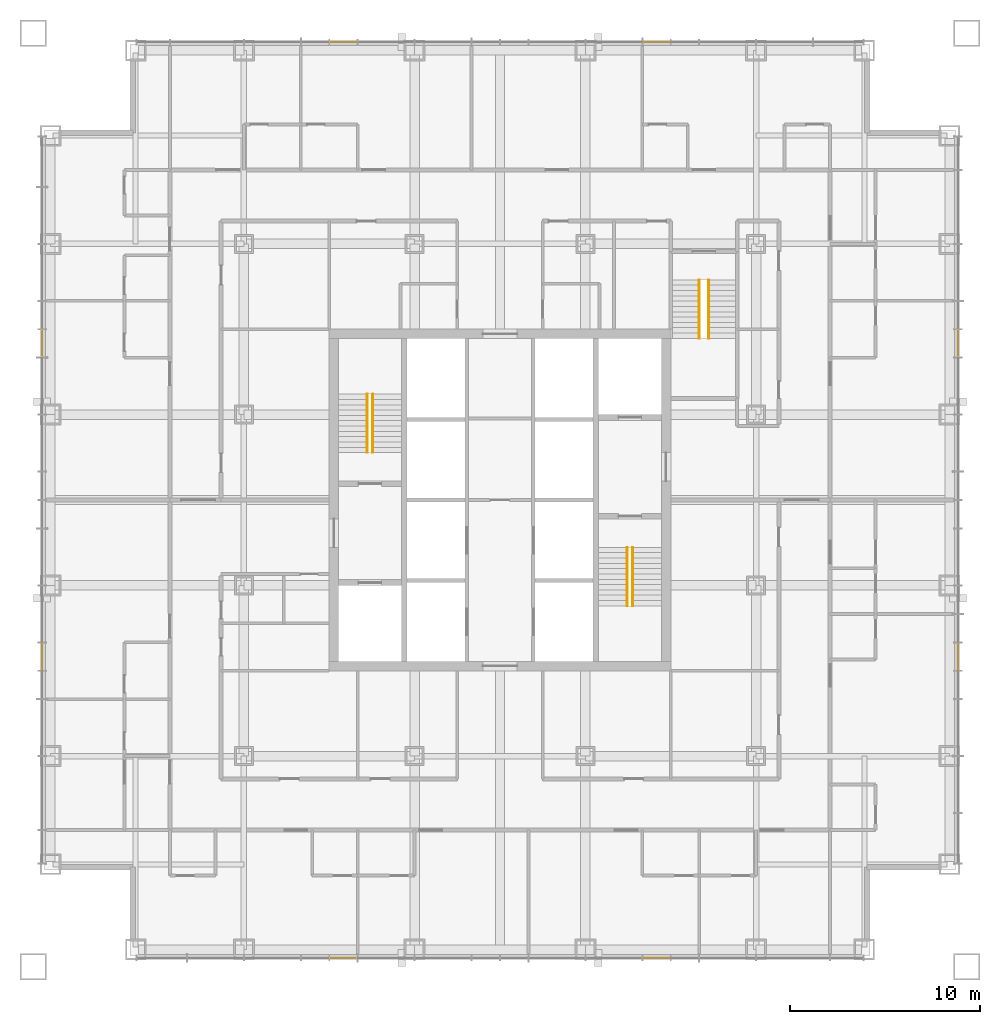
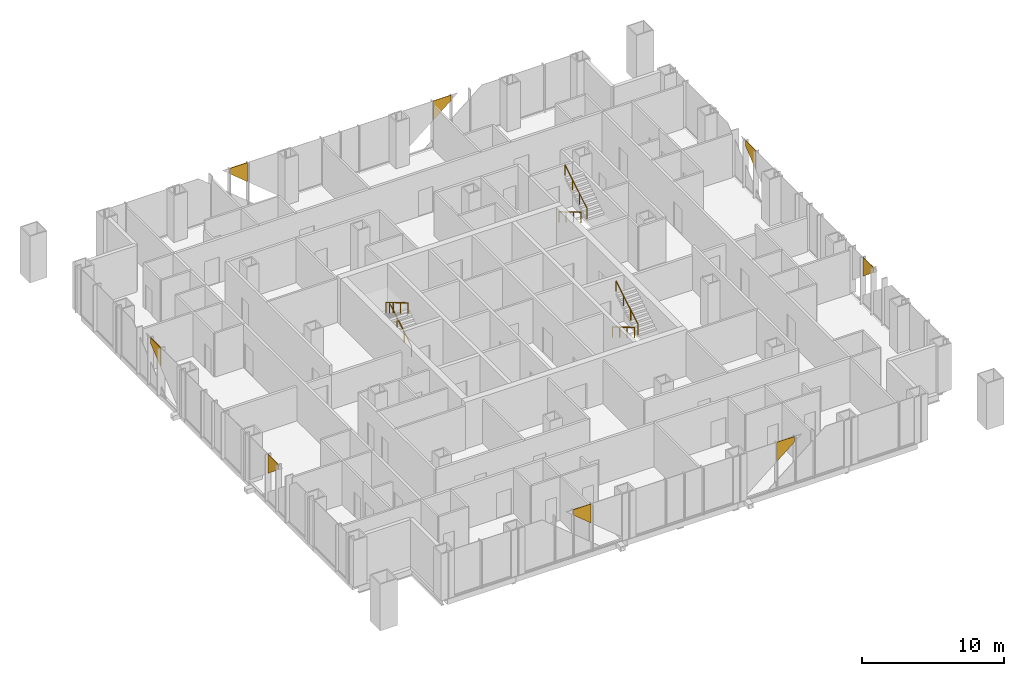
# One storey, part 14 of 18: 8 coverings, 6 railings.
"""IFC4 building model written with IfcOpenShell, lengths in metres."""

import ifcopenshell
import ifcopenshell.guid

model = None  # the IFC model being written
_history = None  # IfcOwnerHistory: only IFC2X3 demands one
_inside = {}  # id of a spatial element -> (the spatial element, [elements in it])
_under = {}  # id of a project, library or spatial element -> (it, [spatial elements below it])
_declared = {}  # id of a project -> (the project, [libraries it declares])
_typed = {}  # id of a type object -> (the type object, [elements of that type])
_made_of = {}  # id of a material, layer set ... -> (it, [elements and type objects made of it])


def new_model(schema):
    """Start an empty IFC model of exactly this schema.

    Asked for "IFC4X3", IfcOpenShell would pick the latest addendum, in which some entities
    have other attributes; the version numbers below select the first issue.
    IFC2X3 requires an IfcOwnerHistory on every rooted entity: one is made here for all.
    """
    global model, _history
    if schema == "IFC4X3":
        model = ifcopenshell.file(schema_version=(4, 3, 0, 0))
    else:
        model = ifcopenshell.file(schema=schema)
    _inside.clear()
    _under.clear()
    _declared.clear()
    _typed.clear()
    _made_of.clear()
    _history = None
    if model.schema == "IFC2X3":
        org = make("IfcOrganization", Name="unknown")
        user = make(
            "IfcPersonAndOrganization",
            ThePerson=make("IfcPerson", FamilyName="unknown"),
            TheOrganization=org,
        )
        app = make(
            "IfcApplication",
            ApplicationDeveloper=org,
            Version="unknown",
            ApplicationFullName="unknown",
            ApplicationIdentifier="unknown",
        )
        _history = make(
            "IfcOwnerHistory",
            OwningUser=user,
            OwningApplication=app,
            ChangeAction="ADDED",
            CreationDate=0,
        )
    return model


def make(cls, **values):
    """One entity of the class cls with the attributes given. An attribute that is None is left unset."""
    return model.create_entity(
        cls, **{name: value for name, value in values.items() if value is not None}
    )


def rooted(cls, **values):
    """An entity with a GlobalId (a new one), such as an element, a storey or a relation."""
    return make(cls, GlobalId=ifcopenshell.guid.new(), OwnerHistory=_history, **values)


def si_unit(unit_type, name, prefix=None):
    """IfcSIUnit, for example si_unit("LENGTHUNIT", "METRE", prefix="MILLI")."""
    return make("IfcSIUnit", UnitType=unit_type, Prefix=prefix, Name=name)


def assignment(units):
    """IfcUnitAssignment: the units of a project."""
    return None if units is None else make("IfcUnitAssignment", Units=units)


def point(xyz):
    """IfcCartesianPoint."""
    return None if xyz is None else make("IfcCartesianPoint", Coordinates=xyz)


def direction(xyz):
    """IfcDirection."""
    return None if xyz is None else make("IfcDirection", DirectionRatios=xyz)


def frame(location, z_axis=None, x_axis=None):
    """IfcAxis2Placement3D, a coordinate frame: its origin and axes. An axis left out is left unset."""
    return make(
        "IfcAxis2Placement3D",
        Location=point(location),
        Axis=direction(z_axis),
        RefDirection=direction(x_axis),
    )


def frame_2d(location, x_axis=None):
    """IfcAxis2Placement2D, a coordinate frame in the plane: its origin and x axis."""
    return make(
        "IfcAxis2Placement2D", Location=point(location), RefDirection=direction(x_axis)
    )


def origin():
    """The frame at (0, 0, 0) with its axes left unset."""
    return frame((0.0, 0.0, 0.0))


def origin_2d():
    """The frame at (0, 0) in the plane with its x axis left unset."""
    return frame_2d((0.0, 0.0))


def place(relative_to, where):
    """IfcLocalPlacement: puts the frame where relative to a parent placement (None: the world)."""
    return make(
        "IfcLocalPlacement", PlacementRelTo=relative_to, RelativePlacement=where
    )


def context(
    kind, dimensions, precision=None, world=None, true_north=None, identifier=None
):
    """IfcGeometricRepresentationContext, for example the 3D "Model" context."""
    return make(
        "IfcGeometricRepresentationContext",
        ContextIdentifier=identifier,
        ContextType=kind,
        CoordinateSpaceDimension=dimensions,
        Precision=precision,
        WorldCoordinateSystem=world,
        TrueNorth=true_north,
    )


def subcontext(parent, identifier, kind, view, scale=None):
    """IfcGeometricRepresentationSubContext, for example "Body" below "Model"."""
    return make(
        "IfcGeometricRepresentationSubContext",
        ContextIdentifier=identifier,
        ContextType=kind,
        ParentContext=parent,
        TargetScale=scale,
        TargetView=view,
    )


def project(units=None, contexts=None):
    """IfcProject with its units and contexts."""
    return rooted(
        "IfcProject",
        Name="project",
        RepresentationContexts=contexts,
        UnitsInContext=assignment(units),
    )


def spatial(cls, under=None, at=None, **own):
    """A site, building, storey or space (cls), placed at a placement, below another one or the project."""
    s = rooted(cls, ObjectPlacement=at, **own)
    if under is not None:
        _under.setdefault(under.id(), (under, []))[1].append(s)
    return s


def polyline(points):
    """IfcPolyline through the points."""
    return make("IfcPolyline", Points=[point(p) for p in points])


def profile(cls, at=None, kind="AREA", **sizes):
    """A parametric profile (cls). Its sizes go by their IFC names, for example OverallWidth=200.0."""
    return make(cls, ProfileType=kind, Position=at, **sizes)


def circle(**sizes):
    """IfcCircleProfileDef."""
    return profile("IfcCircleProfileDef", **sizes)


def outline(outer, holes=None, kind="AREA"):
    """IfcArbitraryClosedProfileDef: a profile drawn as a closed curve; with holes, ...WithVoids."""
    if holes is None:
        return make("IfcArbitraryClosedProfileDef", ProfileType=kind, OuterCurve=outer)
    return make(
        "IfcArbitraryProfileDefWithVoids",
        ProfileType=kind,
        OuterCurve=outer,
        InnerCurves=holes,
    )


def extrude(swept, where, along, depth):
    """IfcExtrudedAreaSolid: the profile swept, set in the frame where, extruded along a direction by depth."""
    return make(
        "IfcExtrudedAreaSolid",
        SweptArea=swept,
        Position=where,
        ExtrudedDirection=direction(along),
        Depth=depth,
    )


def shape(context_of_items, identifier, shape_type, items):
    """IfcShapeRepresentation: the items that make up one representation, for example the "Body"."""
    return make(
        "IfcShapeRepresentation",
        ContextOfItems=context_of_items,
        RepresentationIdentifier=identifier,
        RepresentationType=shape_type,
        Items=items,
    )


def material(Name=None, Category=None):
    """IfcMaterial."""
    return make("IfcMaterial", Name=Name, Category=Category)


def layer(
    of_material, thickness, ventilated=None, Name=None, Category=None, Priority=None
):
    """IfcMaterialLayer: one layer of a wall or slab, of a material (None: an air gap)."""
    return make(
        "IfcMaterialLayer",
        Material=of_material,
        LayerThickness=thickness,
        IsVentilated=ventilated,
        Name=Name,
        Category=Category,
        Priority=Priority,
    )


def layer_set(layers, Name=None):
    """IfcMaterialLayerSet."""
    return make("IfcMaterialLayerSet", MaterialLayers=layers, LayerSetName=Name)


def made_of(thing, what):
    """Note that an element or type object is made of a material, layer set ...; save() writes the relation."""
    if what is not None:
        _made_of.setdefault(what.id(), (what, []))[1].append(thing)
    return thing


def type_object(cls, material=None, **own):
    """A type object (cls), such as IfcWallType, which elements share."""
    return made_of(rooted(cls, **own), material)


def element(
    cls,
    number,
    at=None,
    inside=None,
    cuts=None,
    type_object=None,
    material=None,
    context=None,
    identifier="Body",
    shape_type=None,
    held_by="IfcProductDefinitionShape",
    body=None,
    shapes=None,
    **own,
):
    """One element of the class cls, such as IfcWall. Its Tag is "e" and its number.

    at: its placement. inside: the storey or other place that contains it. cuts: it is an
    opening in that element (IfcRelVoidsElement). A single representation is given by context,
    identifier, shape_type and body (its items); several are given by shapes. held_by: the class
    of the entity that holds the representations. save() writes the other relations.
    """
    e = rooted(cls, Tag="e%d" % number, ObjectPlacement=at, **own)
    if body is not None:
        shapes = [shape(context, identifier, shape_type, body)]
    if shapes is not None:
        e.Representation = make(held_by, Representations=shapes)
    if inside is not None:
        _inside.setdefault(inside.id(), (inside, []))[1].append(e)
    if cuts is not None:
        rooted(
            "IfcRelVoidsElement", RelatingBuildingElement=cuts, RelatedOpeningElement=e
        )
    if type_object is not None:
        _typed.setdefault(type_object.id(), (type_object, []))[1].append(e)
    return made_of(e, material)


def aggregate(whole, parts):
    """IfcRelAggregates: a whole, such as a stair, and the parts it consists of."""
    return rooted("IfcRelAggregates", RelatingObject=whole, RelatedObjects=parts)


def save(model, path):
    """Write the relations noted so far, then the file.

    IfcRelAggregates (storeys below a building ...), IfcRelContainedInSpatialStructure (elements
    in a storey), IfcRelDefinesByType, IfcRelAssociatesMaterial and IfcRelDeclares: one each for
    every whole, place, type object, material and project.
    """
    for whole, parts in _under.values():
        aggregate(whole, parts)
    for where, things in _inside.values():
        rooted(
            "IfcRelContainedInSpatialStructure",
            RelatedElements=things,
            RelatingStructure=where,
        )
    for kind, things in _typed.values():
        rooted("IfcRelDefinesByType", RelatedObjects=things, RelatingType=kind)
    for what, things in _made_of.values():
        rooted("IfcRelAssociatesMaterial", RelatedObjects=things, RelatingMaterial=what)
    for by, libraries in _declared.values():
        rooted("IfcRelDeclares", RelatingContext=by, RelatedDefinitions=libraries)
    model.write(path)


model = new_model("IFC4")

# Units and contexts
model_context = context("Model", 3, precision=1e-05, world=origin(), true_north=direction((0.0, 1.0)))
body_context = subcontext(model_context, "Body", "Model", "MODEL_VIEW")
ifc_project = project(units=[si_unit("LENGTHUNIT", "METRE"), si_unit("AREAUNIT", "SQUARE_METRE"), si_unit("VOLUMEUNIT", "CUBIC_METRE"), si_unit("PLANEANGLEUNIT", "RADIAN"), si_unit("MASSUNIT", "GRAM", prefix="KILO")], contexts=[model_context])

# Site, building, storey
site_placement = place(None, origin())
site = spatial("IfcSite", under=ifc_project, at=site_placement, CompositionType="ELEMENT")
building_placement = place(site_placement, origin())
building = spatial("IfcBuilding", under=site, at=building_placement, Name="Malebo Sky Hospital", CompositionType="ELEMENT")
storey_placement = place(building_placement, frame((0.0, 0.0, 124.0)))
storey = spatial("IfcBuildingStorey", under=building, at=storey_placement, Name="L29", CompositionType="ELEMENT", Elevation=124.0)

# Coverings
ifc_material_1 = material(Name="Anodised aluminium, natural silver insulated infill panel", Category="aluminium")
ifc_layer = layer(ifc_material_1, 0.0400390625)
ifc_layer_set = layer_set([ifc_layer], Name="BRACE INFILL PANEL 40")
covering_type = type_object("IfcCoveringType", Name="BRACE INFILL PANEL 40", PredefinedType="CLADDING", material=ifc_layer_set)
covering_1_placement = place(storey_placement, frame((51.75, 86.135009765625, 2.347900390625), z_axis=(0.0, 0.0, 1.0), x_axis=(1.0, 0.0, 0.0)))
element("IfcCovering", 1, at=covering_1_placement, inside=storey, type_object=covering_type, Name="Brace infill panel 5.1", PredefinedType="CLADDING", context=body_context, shape_type="SweptSolid", body=[
    extrude(outline(polyline([(0.71240234375, 0.0), (0.71240234375, 1.64208984375), (-0.71240234375, 1.64208984375), (-0.71240234375, 1.174560546875), (0.71240234375, 0.0)])), frame((0.0, 0.02001953125, 0.0), z_axis=(0.0, -1.0, 0.0), x_axis=(1.0, 0.0, 0.0)), (0.0, 0.0, 1.0), 0.0400390625),
])
covering_2_placement = place(storey_placement, frame((68.25, 86.135009765625, 2.347900390625), z_axis=(0.0, 0.0, 1.0), x_axis=(1.0, 0.0, 0.0)))
element("IfcCovering", 2, at=covering_2_placement, inside=storey, type_object=covering_type, Name="Brace infill panel 12.1", PredefinedType="CLADDING", context=body_context, shape_type="SweptSolid", body=[
    extrude(outline(polyline([(-0.71240234375, 0.0), (0.71240234375, 1.174560546875), (0.71240234375, 1.64208984375), (-0.71240234375, 1.64208984375), (-0.71240234375, 0.0)])), frame((0.0, 0.02001953125, 0.0), z_axis=(0.0, -1.0, 0.0), x_axis=(1.0, 0.0, 0.0)), (0.0, 0.0, 1.0), 0.0400390625),
])
covering_3_placement = place(storey_placement, frame((35.864990234375, 53.75, 2.347900390625), z_axis=(0.0, 0.0, 1.0), x_axis=(0.0, 1.0, 0.0)))
element("IfcCovering", 3, at=covering_3_placement, inside=storey, type_object=covering_type, Name="Brace infill panel 5.1", PredefinedType="CLADDING", context=body_context, shape_type="SweptSolid", body=[
    extrude(outline(polyline([(0.71240234375, 0.0), (0.71240234375, 1.64208984375), (-0.71240234375, 1.64208984375), (-0.71240234375, 1.174560546875), (0.71240234375, 0.0)])), frame((0.0, 0.02001953125, 0.0), z_axis=(0.0, -1.0, 0.0), x_axis=(1.0, 0.0, 0.0)), (0.0, 0.0, 1.0), 0.0400390625),
])
covering_4_placement = place(storey_placement, frame((35.864990234375, 70.25, 2.347900390625), z_axis=(0.0, 0.0, 1.0), x_axis=(0.0, 1.0, 0.0)))
element("IfcCovering", 4, at=covering_4_placement, inside=storey, type_object=covering_type, Name="Brace infill panel 12.1", PredefinedType="CLADDING", context=body_context, shape_type="SweptSolid", body=[
    extrude(outline(polyline([(-0.71240234375, 0.0), (0.71240234375, 1.174560546875), (0.71240234375, 1.64208984375), (-0.71240234375, 1.64208984375), (-0.71240234375, 0.0)])), frame((0.0, 0.02001953125, 0.0), z_axis=(0.0, -1.0, 0.0), x_axis=(1.0, 0.0, 0.0)), (0.0, 0.0, 1.0), 0.0400390625),
])
covering_5_placement = place(storey_placement, frame((68.25, 37.864990234375, 2.347900390625), z_axis=(0.0, 0.0, 1.0), x_axis=(-1.0, 0.0, 0.0)))
element("IfcCovering", 5, at=covering_5_placement, inside=storey, type_object=covering_type, Name="Brace infill panel 5.1", PredefinedType="CLADDING", context=body_context, shape_type="SweptSolid", body=[
    extrude(outline(polyline([(0.71240234375, 0.0), (0.71240234375, 1.64208984375), (-0.71240234375, 1.64208984375), (-0.71240234375, 1.174560546875), (0.71240234375, 0.0)])), frame((0.0, 0.02001953125, 0.0), z_axis=(0.0, -1.0, 0.0), x_axis=(1.0, 0.0, 0.0)), (0.0, 0.0, 1.0), 0.0400390625),
])
covering_6_placement = place(storey_placement, frame((51.75, 37.864990234375, 2.347900390625), z_axis=(0.0, 0.0, 1.0), x_axis=(-1.0, 0.0, 0.0)))
element("IfcCovering", 6, at=covering_6_placement, inside=storey, type_object=covering_type, Name="Brace infill panel 12.1", PredefinedType="CLADDING", context=body_context, shape_type="SweptSolid", body=[
    extrude(outline(polyline([(-0.71240234375, 0.0), (0.71240234375, 1.174560546875), (0.71240234375, 1.64208984375), (-0.71240234375, 1.64208984375), (-0.71240234375, 0.0)])), frame((0.0, 0.02001953125, 0.0), z_axis=(0.0, -1.0, 0.0), x_axis=(1.0, 0.0, 0.0)), (0.0, 0.0, 1.0), 0.0400390625),
])
covering_7_placement = place(storey_placement, frame((84.135009765625, 70.25, 2.347900390625), z_axis=(0.0, 0.0, 1.0), x_axis=(0.0, -1.0, 0.0)))
element("IfcCovering", 7, at=covering_7_placement, inside=storey, type_object=covering_type, Name="Brace infill panel 5.1", PredefinedType="CLADDING", context=body_context, shape_type="SweptSolid", body=[
    extrude(outline(polyline([(0.71240234375, 0.0), (0.71240234375, 1.64208984375), (-0.71240234375, 1.64208984375), (-0.71240234375, 1.174560546875), (0.71240234375, 0.0)])), frame((0.0, 0.02001953125, 0.0), z_axis=(0.0, -1.0, 0.0), x_axis=(1.0, 0.0, 0.0)), (0.0, 0.0, 1.0), 0.0400390625),
])
covering_8_placement = place(storey_placement, frame((84.135009765625, 53.75, 2.347900390625), z_axis=(0.0, 0.0, 1.0), x_axis=(0.0, -1.0, 0.0)))
element("IfcCovering", 8, at=covering_8_placement, inside=storey, type_object=covering_type, Name="Brace infill panel 13.1", PredefinedType="CLADDING", context=body_context, shape_type="SweptSolid", body=[
    extrude(outline(polyline([(-0.71240234375, 0.0), (0.71240234375, 1.174560546875), (0.71240234375, 1.64208984375), (-0.71240234375, 1.64208984375), (-0.71240234375, 0.0)])), frame((0.0, 0.02001953125, 0.0), z_axis=(0.0, -1.0, 0.0), x_axis=(1.0, 0.0, 0.0)), (0.0, 0.0, 1.0), 0.0400390625),
])

# Railings
ifc_material_2 = material(Name="Stainless steel tube", Category="steel")
railing_type = type_object("IfcRailingType", Name="STAIR HANDRAIL 900", PredefinedType="HANDRAIL", material=ifc_material_2)
railing_1_placement = place(storey_placement, frame((53.300048828125, 64.5, 0.166748046875)))
element("IfcRailing", 9, at=railing_1_placement, inside=storey, type_object=railing_type, Name="Stair handrail S1 flight 1", PredefinedType="HANDRAIL", context=body_context, shape_type="SweptSolid", body=[
    extrude(circle(Radius=0.02392578125, at=origin_2d()), frame((0.0, 0.0, 0.8759765625), z_axis=(0.0, 0.859308565015, 0.511457515432), x_axis=(-1.0, 0.0, 0.0)), (0.0, 0.0, 1.0), 3.58447265625),
    extrude(circle(Radius=0.02099609375, at=origin_2d()), origin(), (0.0, 0.0, 1.0), 0.851806640625),
    extrude(circle(Radius=0.02099609375, at=origin_2d()), frame((0.0, 1.026611328125, 0.611083984375)), (0.0, 0.0, 1.0), 0.851806640625),
    extrude(circle(Radius=0.02099609375, at=origin_2d()), frame((0.0, 2.053466796875, 1.22216796875)), (0.0, 0.0, 1.0), 0.851806640625),
    extrude(circle(Radius=0.02099609375, at=origin_2d()), frame((0.0, 3.080078125, 1.833251953125)), (0.0, 0.0, 1.0), 0.851806640625),
])
for number, where, name in (
    (10, (53.0, 67.580078125, 2.166748046875), "Stair handrail S1 flight 2"),
    (11, (66.699951171875, 59.5, 0.166748046875), "Stair handrail S2 flight 1"),
):
    element("IfcRailing", number, at=place(storey_placement, frame(where)), inside=storey, type_object=railing_type, Name=name, PredefinedType="HANDRAIL", context=body_context, shape_type="SweptSolid", body=[
        extrude(circle(Radius=0.02392578125, at=origin_2d()), frame((0.0, 0.0, 0.8759765625), z_axis=(0.0, -0.859308565015, 0.511457515432), x_axis=(1.0, 0.0, 0.0)), (0.0, 0.0, 1.0), 3.58447265625),
        extrude(circle(Radius=0.02099609375, at=origin_2d()), origin(), (0.0, 0.0, 1.0), 0.851806640625),
        extrude(circle(Radius=0.02099609375, at=origin_2d()), frame((0.0, -1.026611328125, 0.611083984375)), (0.0, 0.0, 1.0), 0.851806640625),
        extrude(circle(Radius=0.02099609375, at=origin_2d()), frame((0.0, -2.053466796875, 1.22216796875)), (0.0, 0.0, 1.0), 0.851806640625),
        extrude(circle(Radius=0.02099609375, at=origin_2d()), frame((0.0, -3.080078125, 1.833251953125)), (0.0, 0.0, 1.0), 0.851806640625),
    ])
railing_2_placement = place(storey_placement, frame((67.0, 56.419921875, 2.166748046875)))
element("IfcRailing", 12, at=railing_2_placement, inside=storey, type_object=railing_type, Name="Stair handrail S2 flight 2", PredefinedType="HANDRAIL", context=body_context, shape_type="SweptSolid", body=[
    extrude(circle(Radius=0.02392578125, at=origin_2d()), frame((0.0, 0.0, 0.8759765625), z_axis=(0.0, 0.859308565015, 0.511457515432), x_axis=(-1.0, 0.0, 0.0)), (0.0, 0.0, 1.0), 3.58447265625),
    extrude(circle(Radius=0.02099609375, at=origin_2d()), origin(), (0.0, 0.0, 1.0), 0.851806640625),
    extrude(circle(Radius=0.02099609375, at=origin_2d()), frame((0.0, 1.026611328125, 0.611083984375)), (0.0, 0.0, 1.0), 0.851806640625),
    extrude(circle(Radius=0.02099609375, at=origin_2d()), frame((0.0, 2.053466796875, 1.22216796875)), (0.0, 0.0, 1.0), 0.851806640625),
    extrude(circle(Radius=0.02099609375, at=origin_2d()), frame((0.0, 3.080078125, 1.833251953125)), (0.0, 0.0, 1.0), 0.851806640625),
])
railing_3_placement = place(storey_placement, frame((70.5, 73.60009765625, 0.166748046875)))
element("IfcRailing", 13, at=railing_3_placement, inside=storey, type_object=railing_type, Name="Stair handrail S3 flight 1", PredefinedType="HANDRAIL", context=body_context, shape_type="SweptSolid", body=[
    extrude(circle(Radius=0.02392578125, at=origin_2d()), frame((0.0, 0.0, 0.8759765625), z_axis=(0.0, -0.859308565015, 0.511457515432), x_axis=(1.0, 0.0, 0.0)), (0.0, 0.0, 1.0), 3.58447265625),
    extrude(circle(Radius=0.02099609375, at=origin_2d()), origin(), (0.0, 0.0, 1.0), 0.851806640625),
    extrude(circle(Radius=0.02099609375, at=origin_2d()), frame((0.0, -1.026611328125, 0.611083984375)), (0.0, 0.0, 1.0), 0.851806640625),
    extrude(circle(Radius=0.02099609375, at=origin_2d()), frame((0.0, -2.053466796875, 1.22216796875)), (0.0, 0.0, 1.0), 0.851806640625),
    extrude(circle(Radius=0.02099609375, at=origin_2d()), frame((0.0, -3.080078125, 1.833251953125)), (0.0, 0.0, 1.0), 0.851806640625),
])
railing_4_placement = place(storey_placement, frame((71.0, 70.52001953125, 2.166748046875)))
element("IfcRailing", 14, at=railing_4_placement, inside=storey, type_object=railing_type, Name="Stair handrail S3 flight 2", PredefinedType="HANDRAIL", context=body_context, shape_type="SweptSolid", body=[
    extrude(circle(Radius=0.02392578125, at=origin_2d()), frame((0.0, 0.0, 0.8759765625), z_axis=(0.0, 0.859308565015, 0.511457515432), x_axis=(-1.0, 0.0, 0.0)), (0.0, 0.0, 1.0), 3.58447265625),
    extrude(circle(Radius=0.02099609375, at=origin_2d()), origin(), (0.0, 0.0, 1.0), 0.851806640625),
    extrude(circle(Radius=0.02099609375, at=origin_2d()), frame((0.0, 1.026611328125, 0.611083984375)), (0.0, 0.0, 1.0), 0.851806640625),
    extrude(circle(Radius=0.02099609375, at=origin_2d()), frame((0.0, 2.053466796875, 1.22216796875)), (0.0, 0.0, 1.0), 0.851806640625),
    extrude(circle(Radius=0.02099609375, at=origin_2d()), frame((0.0, 3.080078125, 1.833251953125)), (0.0, 0.0, 1.0), 0.851806640625),
])

save(model, "model.ifc")
